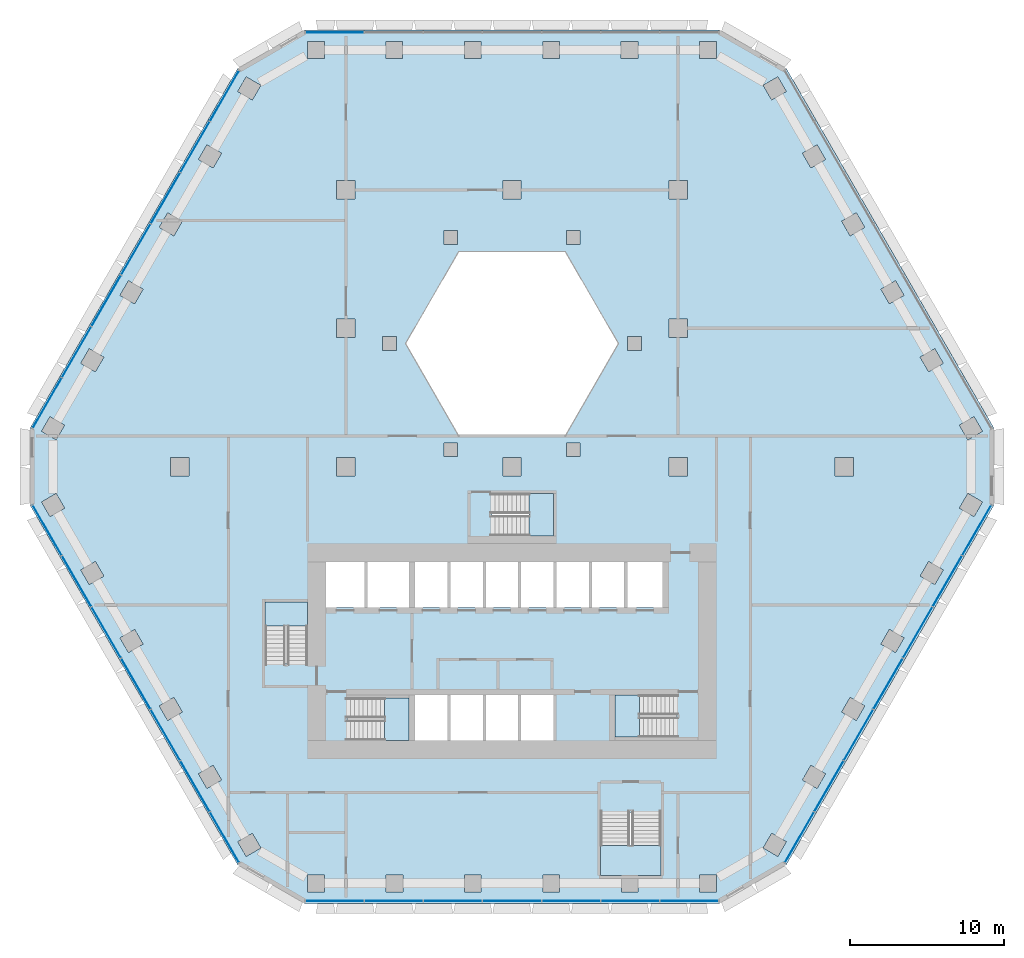
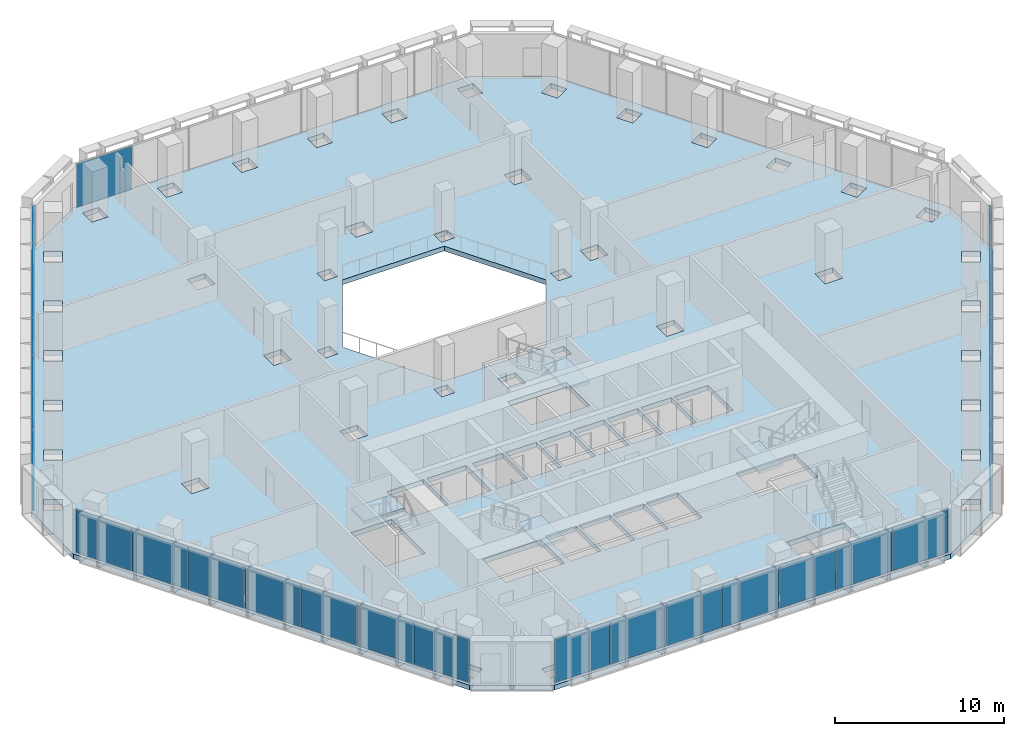
# One storey, part 10 of 22: 29 plates, 6 slabs, 10 elements without a shape of their own.
"""IFC4 building model written with IfcOpenShell, lengths in metres."""

from ifc_helpers import new_model, si_unit, direction, frame, origin, origin_2d, place, context, subcontext, project, spatial, polyline, rectangle, outline, extrude, material, layer, layer_set, type_object, element, aggregate, save


model = new_model("IFC4")

# Units and contexts
model_context = context("Model", 3, precision=1e-05, world=origin(), true_north=direction((0.0, 1.0)))
body_context = subcontext(model_context, "Body", "Model", "MODEL_VIEW")
ifc_project = project(units=[si_unit("LENGTHUNIT", "METRE"), si_unit("AREAUNIT", "SQUARE_METRE"), si_unit("VOLUMEUNIT", "CUBIC_METRE"), si_unit("PLANEANGLEUNIT", "RADIAN"), si_unit("MASSUNIT", "GRAM", prefix="KILO")], contexts=[model_context])

# Site, building, storey
site_placement = place(None, origin())
site = spatial("IfcSite", under=ifc_project, at=site_placement, CompositionType="ELEMENT")
building_placement = place(site_placement, origin())
building = spatial("IfcBuilding", under=site, at=building_placement, Name="Beryl Residences", CompositionType="ELEMENT")
storey_placement = place(building_placement, frame((0.0, 0.0, 12.60009765625)))
storey = spatial("IfcBuildingStorey", under=building, at=storey_placement, Name="L03", CompositionType="ELEMENT", Elevation=12.60009765625)

# Curtain wall, plate
ifc_material_1 = material(Name="Aluminium and clear glass", Category="aluminium")
curtain_wall_type = type_object("IfcCurtainWallType", Name="CW2 amenity glazing glazed wall", PredefinedType="NOTDEFINED", material=ifc_material_1)
curtain_wall_1_placement = place(storey_placement, origin())
curtain_wall_1 = element("IfcCurtainWall", 1, at=curtain_wall_1_placement, inside=storey, type_object=curtain_wall_type, Name="CW2 L03 N", PredefinedType="NOTDEFINED")
ifc_material_2 = material(Name="Clear laminated glass", Category="glass")
ifc_layer_1 = layer(ifc_material_2, 0.028076171875)
ifc_layer_set_1 = layer_set([ifc_layer_1], Name="CW2-P glazing panel 28 mm")
plate_type = type_object("IfcPlateType", Name="CW2-P glazing panel 28 mm", PredefinedType="CURTAIN_PANEL", material=ifc_layer_set_1)
plate_1_placement = place(storey_placement, frame((-11.53076171875, 28.25, 0.06005859375), z_axis=(0.0, 0.0, 1.0), x_axis=(-1.0, 0.0, 0.0)))
plate_1 = element("IfcPlate", 2, at=plate_1_placement, type_object=plate_type, Name="CW2 panel 7.1", PredefinedType="CURTAIN_PANEL", context=body_context, shape_type="SweptSolid", body=[
    extrude(rectangle(XDim=3.758544921875, YDim=0.028076171875, at=origin_2d()), origin(), (0.0, 0.0, 1.0), 3.1298828125),
])
aggregate(curtain_wall_1, [plate_1])

# Curtain wall, plates
curtain_wall_2_placement = place(storey_placement, origin())
curtain_wall_2 = element("IfcCurtainWall", 3, at=curtain_wall_2_placement, inside=storey, type_object=curtain_wall_type, Name="CW2 L03 NW", PredefinedType="NOTDEFINED")
plate_2_placement = place(storey_placement, frame((-18.69970703125, 24.110595703125, 0.06005859375), z_axis=(0.0, 0.0, 1.0), x_axis=(-0.500011643322, -0.866018681405, 0.0)))
plate_2 = element("IfcPlate", 4, at=plate_2_placement, type_object=plate_type, Name="CW2 panel 1.1", PredefinedType="CURTAIN_PANEL", context=body_context, shape_type="SweptSolid", body=[
    extrude(rectangle(XDim=3.758544921875, YDim=0.028076171875, at=origin_2d()), origin(), (0.0, 0.0, 1.0), 3.1298828125),
])
plate_3_placement = place(storey_placement, frame((-20.616455078125, 20.790771484375, 0.06005859375), z_axis=(0.0, 0.0, 1.0), x_axis=(-0.500011643322, -0.866018681405, 0.0)))
plate_3 = element("IfcPlate", 5, at=plate_3_placement, type_object=plate_type, Name="CW2 panel 2.1", PredefinedType="CURTAIN_PANEL", context=body_context, shape_type="SweptSolid", body=[
    extrude(rectangle(XDim=3.78857421875, YDim=0.028076171875, at=origin_2d()), origin(), (0.0, 0.0, 1.0), 3.1298828125),
])
plate_4_placement = place(storey_placement, frame((-22.540771484375, 17.457763671875, 0.06005859375), z_axis=(0.0, 0.0, 1.0), x_axis=(-0.500011643322, -0.866018681405, 0.0)))
plate_4 = element("IfcPlate", 6, at=plate_4_placement, type_object=plate_type, Name="CW2 panel 3.1", PredefinedType="CURTAIN_PANEL", context=body_context, shape_type="SweptSolid", body=[
    extrude(rectangle(XDim=3.78857421875, YDim=0.028076171875, at=origin_2d()), origin(), (0.0, 0.0, 1.0), 3.1298828125),
])
plate_5_placement = place(storey_placement, frame((-24.465087890625, 14.125, 0.06005859375), z_axis=(0.0, 0.0, 1.0), x_axis=(-0.500011643322, -0.866018681405, 0.0)))
plate_5 = element("IfcPlate", 7, at=plate_5_placement, type_object=plate_type, Name="CW2 panel 4.1", PredefinedType="CURTAIN_PANEL", context=body_context, shape_type="SweptSolid", body=[
    extrude(rectangle(XDim=3.78857421875, YDim=0.028076171875, at=origin_2d()), origin(), (0.0, 0.0, 1.0), 3.1298828125),
])
plate_6_placement = place(storey_placement, frame((-26.389404296875, 10.792236328125, 0.06005859375), z_axis=(0.0, 0.0, 1.0), x_axis=(-0.500011643322, -0.866018681405, 0.0)))
plate_6 = element("IfcPlate", 8, at=plate_6_placement, type_object=plate_type, Name="CW2 panel 5.1", PredefinedType="CURTAIN_PANEL", context=body_context, shape_type="SweptSolid", body=[
    extrude(rectangle(XDim=3.78857421875, YDim=0.028076171875, at=origin_2d()), origin(), (0.0, 0.0, 1.0), 3.1298828125),
])
plate_7_placement = place(storey_placement, frame((-28.3134765625, 7.459228515625, 0.06005859375), z_axis=(0.0, 0.0, 1.0), x_axis=(-0.500011643322, -0.866018681405, 0.0)))
plate_7 = element("IfcPlate", 9, at=plate_7_placement, type_object=plate_type, Name="CW2 panel 6.1", PredefinedType="CURTAIN_PANEL", context=body_context, shape_type="SweptSolid", body=[
    extrude(rectangle(XDim=3.78857421875, YDim=0.028076171875, at=origin_2d()), origin(), (0.0, 0.0, 1.0), 3.1298828125),
])
plate_8_placement = place(storey_placement, frame((-30.23046875, 4.139404296875, 0.06005859375), z_axis=(0.0, 0.0, 1.0), x_axis=(-0.500011643322, -0.866018681405, 0.0)))
plate_8 = element("IfcPlate", 10, at=plate_8_placement, type_object=plate_type, Name="CW2 panel 7.1", PredefinedType="CURTAIN_PANEL", context=body_context, shape_type="SweptSolid", body=[
    extrude(rectangle(XDim=3.758544921875, YDim=0.028076171875, at=origin_2d()), origin(), (0.0, 0.0, 1.0), 3.1298828125),
])
aggregate(curtain_wall_2, [plate_2, plate_3, plate_4, plate_5, plate_6, plate_7, plate_8])

curtain_wall_3_placement = place(storey_placement, origin())
curtain_wall_3 = element("IfcCurtainWall", 11, at=curtain_wall_3_placement, inside=storey, type_object=curtain_wall_type, Name="CW2 L03 SW", PredefinedType="NOTDEFINED")
plate_9_placement = place(storey_placement, frame((-30.23046875, -4.139404296875, 0.06005859375), z_axis=(0.0, 0.0, 1.0), x_axis=(0.500011643322, -0.866018681405, 0.0)))
plate_9 = element("IfcPlate", 12, at=plate_9_placement, type_object=plate_type, Name="CW2 panel 1.1", PredefinedType="CURTAIN_PANEL", context=body_context, shape_type="SweptSolid", body=[
    extrude(rectangle(XDim=3.758544921875, YDim=0.028076171875, at=origin_2d()), origin(), (0.0, 0.0, 1.0), 3.1298828125),
])
plate_10_placement = place(storey_placement, frame((-28.3134765625, -7.459228515625, 0.06005859375), z_axis=(0.0, 0.0, 1.0), x_axis=(0.500011643322, -0.866018681405, 0.0)))
plate_10 = element("IfcPlate", 13, at=plate_10_placement, type_object=plate_type, Name="CW2 panel 2.1", PredefinedType="CURTAIN_PANEL", context=body_context, shape_type="SweptSolid", body=[
    extrude(rectangle(XDim=3.78857421875, YDim=0.028076171875, at=origin_2d()), origin(), (0.0, 0.0, 1.0), 3.1298828125),
])
plate_11_placement = place(storey_placement, frame((-26.389404296875, -10.792236328125, 0.06005859375), z_axis=(0.0, 0.0, 1.0), x_axis=(0.500011643322, -0.866018681405, 0.0)))
plate_11 = element("IfcPlate", 14, at=plate_11_placement, type_object=plate_type, Name="CW2 panel 3.1", PredefinedType="CURTAIN_PANEL", context=body_context, shape_type="SweptSolid", body=[
    extrude(rectangle(XDim=3.78857421875, YDim=0.028076171875, at=origin_2d()), origin(), (0.0, 0.0, 1.0), 3.1298828125),
])
plate_12_placement = place(storey_placement, frame((-24.465087890625, -14.125, 0.06005859375), z_axis=(0.0, 0.0, 1.0), x_axis=(0.500011643322, -0.866018681405, 0.0)))
plate_12 = element("IfcPlate", 15, at=plate_12_placement, type_object=plate_type, Name="CW2 panel 4.1", PredefinedType="CURTAIN_PANEL", context=body_context, shape_type="SweptSolid", body=[
    extrude(rectangle(XDim=3.78857421875, YDim=0.028076171875, at=origin_2d()), origin(), (0.0, 0.0, 1.0), 3.1298828125),
])
plate_13_placement = place(storey_placement, frame((-22.540771484375, -17.457763671875, 0.06005859375), z_axis=(0.0, 0.0, 1.0), x_axis=(0.500011643322, -0.866018681405, 0.0)))
plate_13 = element("IfcPlate", 16, at=plate_13_placement, type_object=plate_type, Name="CW2 panel 5.1", PredefinedType="CURTAIN_PANEL", context=body_context, shape_type="SweptSolid", body=[
    extrude(rectangle(XDim=3.78857421875, YDim=0.028076171875, at=origin_2d()), origin(), (0.0, 0.0, 1.0), 3.1298828125),
])
plate_14_placement = place(storey_placement, frame((-20.616455078125, -20.790771484375, 0.06005859375), z_axis=(0.0, 0.0, 1.0), x_axis=(0.500011643322, -0.866018681405, 0.0)))
plate_14 = element("IfcPlate", 17, at=plate_14_placement, type_object=plate_type, Name="CW2 panel 6.1", PredefinedType="CURTAIN_PANEL", context=body_context, shape_type="SweptSolid", body=[
    extrude(rectangle(XDim=3.78857421875, YDim=0.028076171875, at=origin_2d()), origin(), (0.0, 0.0, 1.0), 3.1298828125),
])
plate_15_placement = place(storey_placement, frame((-18.69970703125, -24.110595703125, 0.06005859375), z_axis=(0.0, 0.0, 1.0), x_axis=(0.500011643322, -0.866018681405, 0.0)))
plate_15 = element("IfcPlate", 18, at=plate_15_placement, type_object=plate_type, Name="CW2 panel 7.1", PredefinedType="CURTAIN_PANEL", context=body_context, shape_type="SweptSolid", body=[
    extrude(rectangle(XDim=3.758544921875, YDim=0.028076171875, at=origin_2d()), origin(), (0.0, 0.0, 1.0), 3.1298828125),
])
aggregate(curtain_wall_3, [plate_9, plate_10, plate_11, plate_12, plate_13, plate_14, plate_15])

curtain_wall_4_placement = place(storey_placement, origin())
curtain_wall_4 = element("IfcCurtainWall", 19, at=curtain_wall_4_placement, inside=storey, type_object=curtain_wall_type, Name="CW2 L03 S", PredefinedType="NOTDEFINED")
plate_16_placement = place(storey_placement, frame((-11.53076171875, -28.25, 0.06005859375), z_axis=(0.0, 0.0, 1.0), x_axis=(1.0, 0.0, 0.0)))
plate_16 = element("IfcPlate", 20, at=plate_16_placement, type_object=plate_type, Name="CW2 panel 1.1", PredefinedType="CURTAIN_PANEL", context=body_context, shape_type="SweptSolid", body=[
    extrude(rectangle(XDim=3.758544921875, YDim=0.028076171875, at=origin_2d()), origin(), (0.0, 0.0, 1.0), 3.1298828125),
])
plate_17_placement = place(storey_placement, frame((-7.697021484375, -28.25, 0.06005859375), z_axis=(0.0, 0.0, 1.0), x_axis=(1.0, 0.0, 0.0)))
plate_17 = element("IfcPlate", 21, at=plate_17_placement, type_object=plate_type, Name="CW2 panel 2.1", PredefinedType="CURTAIN_PANEL", context=body_context, shape_type="SweptSolid", body=[
    extrude(rectangle(XDim=3.78857421875, YDim=0.028076171875, at=origin_2d()), origin(), (0.0, 0.0, 1.0), 3.1298828125),
])
plate_18_placement = place(storey_placement, frame((-3.8486328125, -28.25, 0.06005859375), z_axis=(0.0, 0.0, 1.0), x_axis=(1.0, 0.0, 0.0)))
plate_18 = element("IfcPlate", 22, at=plate_18_placement, type_object=plate_type, Name="CW2 panel 3.1", PredefinedType="CURTAIN_PANEL", context=body_context, shape_type="SweptSolid", body=[
    extrude(rectangle(XDim=3.78857421875, YDim=0.028076171875, at=origin_2d()), origin(), (0.0, 0.0, 1.0), 3.1298828125),
])
plate_19_placement = place(storey_placement, frame((0.0, -28.25, 0.06005859375), z_axis=(0.0, 0.0, 1.0), x_axis=(1.0, 0.0, 0.0)))
plate_19 = element("IfcPlate", 23, at=plate_19_placement, type_object=plate_type, Name="CW2 panel 4.1", PredefinedType="CURTAIN_PANEL", context=body_context, shape_type="SweptSolid", body=[
    extrude(rectangle(XDim=3.78857421875, YDim=0.028076171875, at=origin_2d()), origin(), (0.0, 0.0, 1.0), 3.1298828125),
])
plate_20_placement = place(storey_placement, frame((3.8486328125, -28.25, 0.06005859375), z_axis=(0.0, 0.0, 1.0), x_axis=(1.0, 0.0, 0.0)))
plate_20 = element("IfcPlate", 24, at=plate_20_placement, type_object=plate_type, Name="CW2 panel 5.1", PredefinedType="CURTAIN_PANEL", context=body_context, shape_type="SweptSolid", body=[
    extrude(rectangle(XDim=3.78857421875, YDim=0.028076171875, at=origin_2d()), origin(), (0.0, 0.0, 1.0), 3.1298828125),
])
plate_21_placement = place(storey_placement, frame((7.697021484375, -28.25, 0.06005859375), z_axis=(0.0, 0.0, 1.0), x_axis=(1.0, 0.0, 0.0)))
plate_21 = element("IfcPlate", 25, at=plate_21_placement, type_object=plate_type, Name="CW2 panel 6.1", PredefinedType="CURTAIN_PANEL", context=body_context, shape_type="SweptSolid", body=[
    extrude(rectangle(XDim=3.78857421875, YDim=0.028076171875, at=origin_2d()), origin(), (0.0, 0.0, 1.0), 3.1298828125),
])
plate_22_placement = place(storey_placement, frame((11.53076171875, -28.25, 0.06005859375), z_axis=(0.0, 0.0, 1.0), x_axis=(1.0, 0.0, 0.0)))
plate_22 = element("IfcPlate", 26, at=plate_22_placement, type_object=plate_type, Name="CW2 panel 7.1", PredefinedType="CURTAIN_PANEL", context=body_context, shape_type="SweptSolid", body=[
    extrude(rectangle(XDim=3.758544921875, YDim=0.028076171875, at=origin_2d()), origin(), (0.0, 0.0, 1.0), 3.1298828125),
])
aggregate(curtain_wall_4, [plate_16, plate_17, plate_18, plate_19, plate_20, plate_21, plate_22])

curtain_wall_5_placement = place(storey_placement, origin())
curtain_wall_5 = element("IfcCurtainWall", 27, at=curtain_wall_5_placement, inside=storey, type_object=curtain_wall_type, Name="CW2 L03 SE", PredefinedType="NOTDEFINED")
plate_23_placement = place(storey_placement, frame((18.69970703125, -24.110595703125, 0.06005859375), z_axis=(0.0, 0.0, 1.0), x_axis=(0.500011643322, 0.866018681405, 0.0)))
plate_23 = element("IfcPlate", 28, at=plate_23_placement, type_object=plate_type, Name="CW2 panel 1.1", PredefinedType="CURTAIN_PANEL", context=body_context, shape_type="SweptSolid", body=[
    extrude(rectangle(XDim=3.758544921875, YDim=0.028076171875, at=origin_2d()), origin(), (0.0, 0.0, 1.0), 3.1298828125),
])
plate_24_placement = place(storey_placement, frame((20.616455078125, -20.790771484375, 0.06005859375), z_axis=(0.0, 0.0, 1.0), x_axis=(0.500011643322, 0.866018681405, 0.0)))
plate_24 = element("IfcPlate", 29, at=plate_24_placement, type_object=plate_type, Name="CW2 panel 2.1", PredefinedType="CURTAIN_PANEL", context=body_context, shape_type="SweptSolid", body=[
    extrude(rectangle(XDim=3.78857421875, YDim=0.028076171875, at=origin_2d()), origin(), (0.0, 0.0, 1.0), 3.1298828125),
])
plate_25_placement = place(storey_placement, frame((22.540771484375, -17.457763671875, 0.06005859375), z_axis=(0.0, 0.0, 1.0), x_axis=(0.500011643322, 0.866018681405, 0.0)))
plate_25 = element("IfcPlate", 30, at=plate_25_placement, type_object=plate_type, Name="CW2 panel 3.1", PredefinedType="CURTAIN_PANEL", context=body_context, shape_type="SweptSolid", body=[
    extrude(rectangle(XDim=3.78857421875, YDim=0.028076171875, at=origin_2d()), origin(), (0.0, 0.0, 1.0), 3.1298828125),
])
plate_26_placement = place(storey_placement, frame((24.465087890625, -14.125, 0.06005859375), z_axis=(0.0, 0.0, 1.0), x_axis=(0.500011643322, 0.866018681405, 0.0)))
plate_26 = element("IfcPlate", 31, at=plate_26_placement, type_object=plate_type, Name="CW2 panel 4.1", PredefinedType="CURTAIN_PANEL", context=body_context, shape_type="SweptSolid", body=[
    extrude(rectangle(XDim=3.78857421875, YDim=0.028076171875, at=origin_2d()), origin(), (0.0, 0.0, 1.0), 3.1298828125),
])
plate_27_placement = place(storey_placement, frame((26.389404296875, -10.792236328125, 0.06005859375), z_axis=(0.0, 0.0, 1.0), x_axis=(0.500011643322, 0.866018681405, 0.0)))
plate_27 = element("IfcPlate", 32, at=plate_27_placement, type_object=plate_type, Name="CW2 panel 5.1", PredefinedType="CURTAIN_PANEL", context=body_context, shape_type="SweptSolid", body=[
    extrude(rectangle(XDim=3.78857421875, YDim=0.028076171875, at=origin_2d()), origin(), (0.0, 0.0, 1.0), 3.1298828125),
])
plate_28_placement = place(storey_placement, frame((28.3134765625, -7.459228515625, 0.06005859375), z_axis=(0.0, 0.0, 1.0), x_axis=(0.500011643322, 0.866018681405, 0.0)))
plate_28 = element("IfcPlate", 33, at=plate_28_placement, type_object=plate_type, Name="CW2 panel 6.1", PredefinedType="CURTAIN_PANEL", context=body_context, shape_type="SweptSolid", body=[
    extrude(rectangle(XDim=3.78857421875, YDim=0.028076171875, at=origin_2d()), origin(), (0.0, 0.0, 1.0), 3.1298828125),
])
plate_29_placement = place(storey_placement, frame((30.23046875, -4.139404296875, 0.06005859375), z_axis=(0.0, 0.0, 1.0), x_axis=(0.500011643322, 0.866018681405, 0.0)))
plate_29 = element("IfcPlate", 34, at=plate_29_placement, type_object=plate_type, Name="CW2 panel 7.1", PredefinedType="CURTAIN_PANEL", context=body_context, shape_type="SweptSolid", body=[
    extrude(rectangle(XDim=3.758544921875, YDim=0.028076171875, at=origin_2d()), origin(), (0.0, 0.0, 1.0), 3.1298828125),
])
aggregate(curtain_wall_5, [plate_23, plate_24, plate_25, plate_26, plate_27, plate_28, plate_29])

# Slab
ifc_material_3 = material(Name="Concrete C40/50", Category="concrete")
ifc_layer_2 = layer(ifc_material_3, 0.35009765625)
ifc_layer_set_2 = layer_set([ifc_layer_2], Name="SL5 PT floor slab 350 mm C40/50")
slab_type_1 = type_object("IfcSlabType", Name="SL5 PT floor slab 350 mm C40/50", PredefinedType="FLOOR", material=ifc_layer_set_2)
slab_1_placement = place(storey_placement, frame((0.0, 0.0, -0.35009765625)))
element("IfcSlab", 35, at=slab_1_placement, inside=storey, type_object=slab_type_1, Name="L03 slab 1", PredefinedType="FLOOR", context=body_context, shape_type="SweptSolid", body=[
    extrude(outline(polyline([(31.35009765625, -2.5), (17.840087890625, -25.89990234375), (13.510009765625, -28.39990234375), (-13.510009765625, -28.39990234375), (-17.840087890625, -25.89990234375), (-31.35009765625, -2.5), (-31.35009765625, 2.5), (-17.840087890625, 25.89990234375), (-13.510009765625, 28.39990234375), (13.510009765625, 28.39990234375), (17.840087890625, 25.89990234375), (31.35009765625, 2.5), (31.35009765625, -2.5)]), holes=[polyline([(29.64794921875, -1.748046875), (29.097900390625, -2.699951171875), (30.050048828125, -3.25), (30.60009765625, -2.298095703125), (29.64794921875, -1.748046875)]), polyline([(30.59912109375, 2.299072265625), (30.049072265625, 3.2509765625), (29.096923828125, 2.700927734375), (29.64697265625, 1.7490234375), (30.59912109375, 2.299072265625)]), polyline([(28.049072265625, -6.718017578125), (27.096923828125, -6.16796875), (26.547119140625, -7.1201171875), (27.4990234375, -7.669921875), (28.049072265625, -6.718017578125)]), polyline([(26.5458984375, 7.1220703125), (27.095947265625, 6.169921875), (28.048095703125, 6.719970703125), (27.498046875, 7.672119140625), (26.5458984375, 7.1220703125)]), polyline([(25.4970703125, -11.137939453125), (24.544921875, -10.587890625), (23.9951171875, -11.5400390625), (24.947021484375, -12.090087890625), (25.4970703125, -11.137939453125)]), polyline([(24.946044921875, 12.092041015625), (23.993896484375, 11.5419921875), (24.5439453125, 10.590087890625), (25.49609375, 11.139892578125), (24.946044921875, 12.092041015625)]), polyline([(21.992919921875, -15.008056640625), (21.443115234375, -15.9599609375), (22.39501953125, -16.510009765625), (22.945068359375, -15.55810546875), (21.992919921875, -15.008056640625)]), polyline([(22.39404296875, 16.511962890625), (21.44189453125, 15.9619140625), (21.991943359375, 15.010009765625), (22.944091796875, 15.56005859375), (22.39404296875, 16.511962890625)]), polyline([(21.0, -0.60009765625), (22.199951171875, -0.60009765625), (22.199951171875, 0.60009765625), (21.0, 0.60009765625), (21.0, -0.60009765625)]), polyline([(19.843017578125, -20.930908203125), (20.39306640625, -19.97900390625), (19.44091796875, -19.428955078125), (18.89111328125, -20.381103515625), (19.843017578125, -20.930908203125)]), polyline([(19.842041015625, 20.931884765625), (18.889892578125, 20.382080078125), (19.43994140625, 19.429931640625), (20.39208984375, 19.97998046875), (19.842041015625, 20.931884765625)]), polyline([(17.841064453125, -24.39892578125), (16.888916015625, -23.84912109375), (16.339111328125, -24.801025390625), (17.291015625, -25.35107421875), (17.841064453125, -24.39892578125)]), polyline([(17.840087890625, 24.39990234375), (17.2900390625, 25.35205078125), (16.337890625, 24.802001953125), (16.887939453125, 23.85009765625), (17.840087890625, 24.39990234375)]), polyline([(13.31103515625, -27.64990234375), (13.31103515625, -26.550048828125), (12.2109375, -26.550048828125), (12.2109375, -27.64990234375), (13.31103515625, -27.64990234375)]), polyline([(13.30908203125, 27.64990234375), (12.208984375, 27.64990234375), (12.208984375, 26.550048828125), (13.30908203125, 26.550048828125), (13.30908203125, 27.64990234375)]), polyline([(11.39990234375, 17.39990234375), (11.39990234375, 18.60009765625), (10.199951171875, 18.60009765625), (10.199951171875, 17.39990234375), (11.39990234375, 17.39990234375)]), polyline([(11.39990234375, -0.60009765625), (11.39990234375, 0.60009765625), (10.199951171875, 0.60009765625), (10.199951171875, -0.60009765625), (11.39990234375, -0.60009765625)]), polyline([(11.39990234375, 8.39990234375), (11.39990234375, 9.60009765625), (10.199951171875, 9.60009765625), (10.199951171875, 8.39990234375), (11.39990234375, 8.39990234375)]), polyline([(6.699951171875, -14.85009765625), (6.699951171875, -17.60009765625), (10.699951171875, -17.60009765625), (10.699951171875, -14.85009765625), (6.699951171875, -14.85009765625)]), polyline([(9.800048828125, -6.199951171875), (7.5, -6.199951171875), (7.5, -9.14990234375), (9.800048828125, -9.14990234375), (9.800048828125, -6.199951171875)]), polyline([(7.10693359375, -27.64990234375), (8.20703125, -27.64990234375), (8.20703125, -26.60009765625), (9.699951171875, -26.60009765625), (9.699951171875, -22.5), (5.75, -22.5), (5.75, -26.60009765625), (7.10693359375, -26.60009765625), (7.10693359375, -27.64990234375)]), polyline([(8.4169921875, 7.550048828125), (8.4169921875, 8.449951171875), (7.51708984375, 8.449951171875), (7.51708984375, 7.550048828125), (8.4169921875, 7.550048828125)]), polyline([(7.10498046875, 27.64990234375), (7.10498046875, 26.550048828125), (8.205078125, 26.550048828125), (8.205078125, 27.64990234375), (7.10498046875, 27.64990234375)]), polyline([(5.199951171875, -6.199951171875), (5.199951171875, -9.14990234375), (7.300048828125, -9.14990234375), (7.300048828125, -6.199951171875), (5.199951171875, -6.199951171875)]), polyline([(3.464111328125, 14.0), (-3.464111328125, 14.0), (-6.92822265625, 8.0), (-3.464111328125, 2.0), (3.464111328125, 2.0), (6.92822265625, 8.0), (3.464111328125, 14.0)]), polyline([(2.89990234375, -9.14990234375), (5.0, -9.14990234375), (5.0, -6.199951171875), (2.89990234375, -6.199951171875), (2.89990234375, -9.14990234375)]), polyline([(4.43408203125, 14.449951171875), (4.43408203125, 15.35009765625), (3.533935546875, 15.35009765625), (3.533935546875, 14.449951171875), (4.43408203125, 14.449951171875)]), polyline([(4.43408203125, 0.64990234375), (4.43408203125, 1.550048828125), (3.533935546875, 1.550048828125), (3.533935546875, 0.64990234375), (4.43408203125, 0.64990234375)]), polyline([(3.10302734375, -27.64990234375), (3.10302734375, -26.550048828125), (2.0029296875, -26.550048828125), (2.0029296875, -27.64990234375), (3.10302734375, -27.64990234375)]), polyline([(2.0009765625, 26.550048828125), (3.10107421875, 26.550048828125), (3.10107421875, 27.64990234375), (2.0009765625, 27.64990234375), (2.0009765625, 26.550048828125)]), polyline([(-1.300048828125, -1.75), (-1.300048828125, -4.5), (2.699951171875, -4.5), (2.699951171875, -1.75), (-1.300048828125, -1.75)]), polyline([(0.60009765625, -9.14990234375), (2.699951171875, -9.14990234375), (2.699951171875, -6.199951171875), (0.60009765625, -6.199951171875), (0.60009765625, -9.14990234375)]), polyline([(0.60009765625, -17.800048828125), (2.699951171875, -17.800048828125), (2.699951171875, -14.85009765625), (0.60009765625, -14.85009765625), (0.60009765625, -17.800048828125)]), polyline([(0.60009765625, -0.60009765625), (0.60009765625, 0.60009765625), (-0.60009765625, 0.60009765625), (-0.60009765625, -0.60009765625), (0.60009765625, -0.60009765625)]), polyline([(0.60009765625, 17.39990234375), (0.60009765625, 18.60009765625), (-0.60009765625, 18.60009765625), (-0.60009765625, 17.39990234375), (0.60009765625, 17.39990234375)]), polyline([(-1.699951171875, -9.14990234375), (0.39990234375, -9.14990234375), (0.39990234375, -6.199951171875), (-1.699951171875, -6.199951171875), (-1.699951171875, -9.14990234375)]), polyline([(-1.699951171875, -17.800048828125), (0.39990234375, -17.800048828125), (0.39990234375, -14.85009765625), (-1.699951171875, -14.85009765625), (-1.699951171875, -17.800048828125)]), polyline([(-4.0, -17.800048828125), (-1.89990234375, -17.800048828125), (-1.89990234375, -14.85009765625), (-4.0, -14.85009765625), (-4.0, -17.800048828125)]), polyline([(-4.0, -6.199951171875), (-4.0, -9.14990234375), (-1.89990234375, -9.14990234375), (-1.89990234375, -6.199951171875), (-4.0, -6.199951171875)]), polyline([(-2.0009765625, -26.550048828125), (-3.10107421875, -26.550048828125), (-3.10107421875, -27.64990234375), (-2.0009765625, -27.64990234375), (-2.0009765625, -26.550048828125)]), polyline([(-3.10302734375, 27.64990234375), (-3.10302734375, 26.550048828125), (-2.0029296875, 26.550048828125), (-2.0029296875, 27.64990234375), (-3.10302734375, 27.64990234375)]), polyline([(-3.533935546875, 15.35009765625), (-4.43408203125, 15.35009765625), (-4.43408203125, 14.449951171875), (-3.533935546875, 14.449951171875), (-3.533935546875, 15.35009765625)]), polyline([(-3.533935546875, 0.64990234375), (-3.533935546875, 1.550048828125), (-4.43408203125, 1.550048828125), (-4.43408203125, 0.64990234375), (-3.533935546875, 0.64990234375)]), polyline([(-4.199951171875, -6.199951171875), (-6.300048828125, -6.199951171875), (-6.300048828125, -9.14990234375), (-4.199951171875, -9.14990234375), (-4.199951171875, -6.199951171875)]), polyline([(-6.300048828125, -17.800048828125), (-4.199951171875, -17.800048828125), (-4.199951171875, -14.85009765625), (-6.300048828125, -14.85009765625), (-6.300048828125, -17.800048828125)]), polyline([(-6.699951171875, -17.800048828125), (-6.699951171875, -15.050048828125), (-10.699951171875, -15.050048828125), (-10.699951171875, -17.800048828125), (-6.699951171875, -17.800048828125)]), polyline([(-9.39990234375, -9.14990234375), (-6.699951171875, -9.14990234375), (-6.699951171875, -6.199951171875), (-9.39990234375, -6.199951171875), (-9.39990234375, -9.14990234375)]), polyline([(-8.205078125, -27.64990234375), (-7.10498046875, -27.64990234375), (-7.10498046875, -26.550048828125), (-8.205078125, -26.550048828125), (-8.205078125, -27.64990234375)]), polyline([(-8.20703125, 27.64990234375), (-8.20703125, 26.550048828125), (-7.10693359375, 26.550048828125), (-7.10693359375, 27.64990234375), (-8.20703125, 27.64990234375)]), polyline([(-7.51708984375, 7.550048828125), (-7.51708984375, 8.449951171875), (-8.4169921875, 8.449951171875), (-8.4169921875, 7.550048828125), (-7.51708984375, 7.550048828125)]), polyline([(-12.10009765625, -9.14990234375), (-9.60009765625, -9.14990234375), (-9.60009765625, -6.199951171875), (-12.10009765625, -6.199951171875), (-12.10009765625, -9.14990234375)]), polyline([(-10.199951171875, 17.39990234375), (-10.199951171875, 18.60009765625), (-11.39990234375, 18.60009765625), (-11.39990234375, 17.39990234375), (-10.199951171875, 17.39990234375)]), polyline([(-11.39990234375, 8.39990234375), (-10.199951171875, 8.39990234375), (-10.199951171875, 9.60009765625), (-11.39990234375, 9.60009765625), (-11.39990234375, 8.39990234375)]), polyline([(-10.199951171875, -0.60009765625), (-10.199951171875, 0.60009765625), (-11.39990234375, 0.60009765625), (-11.39990234375, -0.60009765625), (-10.199951171875, -0.60009765625)]), polyline([(-12.208984375, -26.550048828125), (-13.30908203125, -26.550048828125), (-13.30908203125, -27.64990234375), (-12.208984375, -27.64990234375), (-12.208984375, -26.550048828125)]), polyline([(-13.31103515625, 27.64990234375), (-13.31103515625, 26.550048828125), (-12.2109375, 26.550048828125), (-12.2109375, 27.64990234375), (-13.31103515625, 27.64990234375)]), polyline([(-13.300048828125, -8.800048828125), (-16.050048828125, -8.800048828125), (-16.050048828125, -12.800048828125), (-13.300048828125, -12.800048828125), (-13.300048828125, -8.800048828125)]), polyline([(-17.2900390625, -25.35205078125), (-16.337890625, -24.802001953125), (-16.887939453125, -23.85009765625), (-17.840087890625, -24.39990234375), (-17.2900390625, -25.35205078125)]), polyline([(-16.888916015625, 23.84912109375), (-16.339111328125, 24.801025390625), (-17.291015625, 25.35107421875), (-17.841064453125, 24.39892578125), (-16.888916015625, 23.84912109375)]), polyline([(-19.842041015625, -20.931884765625), (-18.889892578125, -20.382080078125), (-19.43994140625, -19.429931640625), (-20.39208984375, -19.97998046875), (-19.842041015625, -20.931884765625)]), polyline([(-20.39306640625, 19.97900390625), (-19.44091796875, 19.428955078125), (-18.89111328125, 20.381103515625), (-19.843017578125, 20.930908203125), (-20.39306640625, 19.97900390625)]), polyline([(-21.0, -0.60009765625), (-21.0, 0.60009765625), (-22.199951171875, 0.60009765625), (-22.199951171875, -0.60009765625), (-21.0, -0.60009765625)]), polyline([(-21.44189453125, -15.9619140625), (-21.991943359375, -15.010009765625), (-22.944091796875, -15.56005859375), (-22.39404296875, -16.511962890625), (-21.44189453125, -15.9619140625)]), polyline([(-21.992919921875, 15.008056640625), (-21.443115234375, 15.9599609375), (-22.39501953125, 16.510009765625), (-22.945068359375, 15.55810546875), (-21.992919921875, 15.008056640625)]), polyline([(-24.946044921875, -12.092041015625), (-23.993896484375, -11.5419921875), (-24.5439453125, -10.590087890625), (-25.49609375, -11.139892578125), (-24.946044921875, -12.092041015625)]), polyline([(-25.4970703125, 11.137939453125), (-24.544921875, 10.587890625), (-23.9951171875, 11.5400390625), (-24.947021484375, 12.090087890625), (-25.4970703125, 11.137939453125)]), polyline([(-27.498046875, -7.672119140625), (-26.5458984375, -7.1220703125), (-27.095947265625, -6.169921875), (-28.048095703125, -6.719970703125), (-27.498046875, -7.672119140625)]), polyline([(-28.049072265625, 6.718017578125), (-27.096923828125, 6.16796875), (-26.547119140625, 7.1201171875), (-27.4990234375, 7.669921875), (-28.049072265625, 6.718017578125)]), polyline([(-29.096923828125, -2.700927734375), (-29.64697265625, -1.7490234375), (-30.59912109375, -2.299072265625), (-30.049072265625, -3.2509765625), (-29.096923828125, -2.700927734375)]), polyline([(-30.60009765625, 2.298095703125), (-29.64794921875, 1.748046875), (-29.097900390625, 2.699951171875), (-30.050048828125, 3.25), (-30.60009765625, 2.298095703125)])]), origin(), (0.0, 0.0, 1.0), 0.35009765625),
])

# Stair, slab
ifc_material_4 = material(Name="Concrete C40/50", Category="concrete")
stair_type = type_object("IfcStairType", Name="ST1 protected exit stair, half-turn, 1300 mm flights", PredefinedType="HALF_TURN_STAIR", material=ifc_material_4)
stair_1_placement = place(storey_placement, origin())
stair_1 = element("IfcStair", 36, at=stair_1_placement, inside=storey, type_object=stair_type, Name="L03 Podium exit stair 7", PredefinedType="HALF_TURN_STAIR")
ifc_material_5 = material(Name="Concrete C40/50", Category="concrete")
ifc_layer_3 = layer(ifc_material_5, 0.199951171875)
ifc_layer_set_3 = layer_set([ifc_layer_3], Name="SLD1 stair landing 200 mm")
slab_type_2 = type_object("IfcSlabType", Name="SLD1 stair landing 200 mm", PredefinedType="LANDING", material=ifc_layer_set_3)
slab_2_placement = place(storey_placement, frame((0.0, 0.0, 1.599853515625)))
slab_2 = element("IfcSlab", 37, at=slab_2_placement, type_object=slab_type_2, Name="PS-7 landing 1", PredefinedType="LANDING", context=body_context, shape_type="SweptSolid", body=[
    extrude(outline(polyline([(5.75, -24.64990234375), (5.75, -26.60009765625), (9.699951171875, -26.60009765625), (9.699951171875, -24.64990234375), (5.75, -24.64990234375)])), origin(), (0.0, 0.0, 1.0), 0.199951171875),
])
aggregate(stair_1, [slab_2])

stair_2_placement = place(storey_placement, origin())
stair_2 = element("IfcStair", 38, at=stair_2_placement, inside=storey, type_object=stair_type, Name="L03 PROTECTED EXIT STAIR ST-1", PredefinedType="HALF_TURN_STAIR")
slab_3_placement = place(storey_placement, frame((0.0, 0.0, 1.599853515625)))
slab_3 = element("IfcSlab", 39, at=slab_3_placement, type_object=slab_type_2, Name="ST-1 landing 1", PredefinedType="LANDING", context=body_context, shape_type="SweptSolid", body=[
    extrude(outline(polyline([(-8.280029296875, -17.800048828125), (-6.699951171875, -17.800048828125), (-6.699951171875, -15.050048828125), (-8.280029296875, -15.050048828125), (-8.280029296875, -17.800048828125)])), origin(), (0.0, 0.0, 1.0), 0.199951171875),
])
aggregate(stair_2, [slab_3])

stair_3_placement = place(storey_placement, origin())
stair_3 = element("IfcStair", 40, at=stair_3_placement, inside=storey, type_object=stair_type, Name="L03 PROTECTED EXIT STAIR ST-2", PredefinedType="HALF_TURN_STAIR")
slab_4_placement = place(storey_placement, frame((0.0, 0.0, 1.599853515625)))
slab_4 = element("IfcSlab", 41, at=slab_4_placement, type_object=slab_type_2, Name="ST-2 landing 1", PredefinedType="LANDING", context=body_context, shape_type="SweptSolid", body=[
    extrude(outline(polyline([(-13.300048828125, -10.3798828125), (-13.300048828125, -8.800048828125), (-16.050048828125, -8.800048828125), (-16.050048828125, -10.3798828125), (-13.300048828125, -10.3798828125)])), origin(), (0.0, 0.0, 1.0), 0.199951171875),
])
aggregate(stair_3, [slab_4])

stair_4_placement = place(storey_placement, origin())
stair_4 = element("IfcStair", 42, at=stair_4_placement, inside=storey, type_object=stair_type, Name="L03 PROTECTED EXIT STAIR ST-3", PredefinedType="HALF_TURN_STAIR")
slab_5_placement = place(storey_placement, frame((0.0, 0.0, 1.599853515625)))
slab_5 = element("IfcSlab", 43, at=slab_5_placement, type_object=slab_type_2, Name="ST-3 landing 1", PredefinedType="LANDING", context=body_context, shape_type="SweptSolid", body=[
    extrude(outline(polyline([(8.280029296875, -14.85009765625), (6.699951171875, -14.85009765625), (6.699951171875, -17.60009765625), (8.280029296875, -17.60009765625), (8.280029296875, -14.85009765625)])), origin(), (0.0, 0.0, 1.0), 0.199951171875),
])
aggregate(stair_4, [slab_5])

stair_5_placement = place(storey_placement, origin())
stair_5 = element("IfcStair", 44, at=stair_5_placement, inside=storey, type_object=stair_type, Name="L03 PROTECTED EXIT STAIR ST-4", PredefinedType="HALF_TURN_STAIR")
slab_6_placement = place(storey_placement, frame((0.0, 0.0, 1.599853515625)))
slab_6 = element("IfcSlab", 45, at=slab_6_placement, type_object=slab_type_2, Name="ST-4 landing 1", PredefinedType="LANDING", context=body_context, shape_type="SweptSolid", body=[
    extrude(outline(polyline([(1.1201171875, -4.5), (2.699951171875, -4.5), (2.699951171875, -1.75), (1.1201171875, -1.75), (1.1201171875, -4.5)])), origin(), (0.0, 0.0, 1.0), 0.199951171875),
])
aggregate(stair_5, [slab_6])

save(model, "model.ifc")
